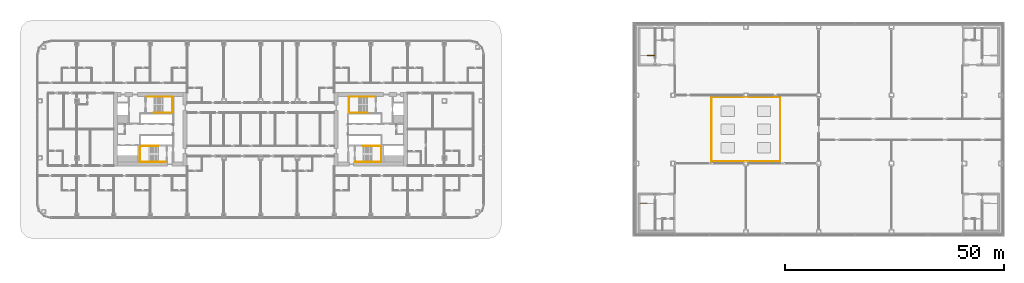
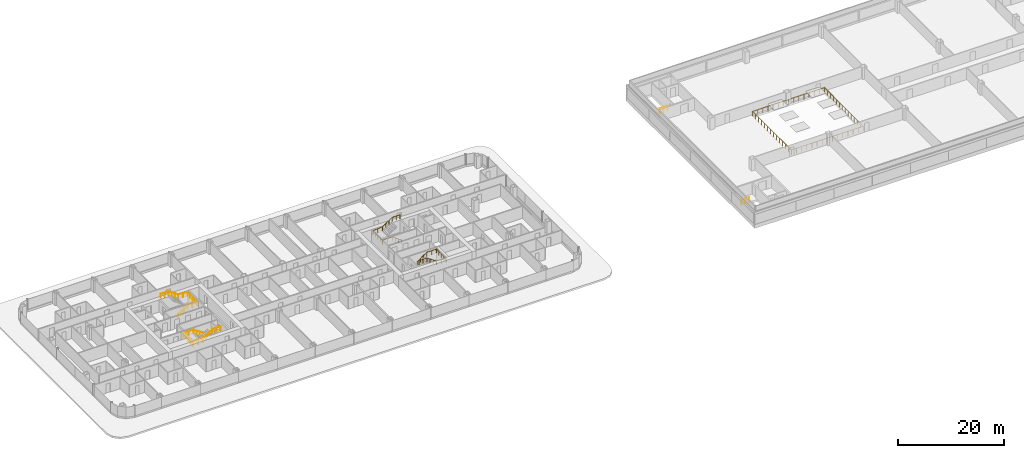
# One storey, part 41 of 42: 7 railings.
"""IFC4 building model written with IfcOpenShell, lengths in metres."""

from ifc_helpers import new_model, si_unit, direction, frame, origin, origin_2d, place, context, subcontext, project, spatial, circle, extrude, material, type_object, element, save


model = new_model("IFC4")

# Units and contexts
model_context = context("Model", 3, precision=1e-05, world=origin(), true_north=direction((0.0, 1.0)))
body_context = subcontext(model_context, "Body", "Model", "MODEL_VIEW")
ifc_project = project(units=[si_unit("LENGTHUNIT", "METRE"), si_unit("AREAUNIT", "SQUARE_METRE"), si_unit("VOLUMEUNIT", "CUBIC_METRE"), si_unit("PLANEANGLEUNIT", "RADIAN"), si_unit("MASSUNIT", "GRAM", prefix="KILO")], contexts=[model_context])

# Site, building, storey
site_placement = place(None, origin())
site = spatial("IfcSite", under=ifc_project, at=site_placement, CompositionType="ELEMENT")
building_placement = place(site_placement, origin())
building = spatial("IfcBuilding", under=site, at=building_placement, Name="Hakoniwa Tower and Hamabe Station Hall", CompositionType="ELEMENT")
storey_placement = place(building_placement, frame((0.0, 0.0, 19.800048828125)))
storey = spatial("IfcBuildingStorey", under=building, at=storey_placement, Name="L04", CompositionType="ELEMENT", Elevation=19.800048828125)

# Railings
ifc_material_1 = material(Name="Stainless steel and glass", Category="steel")
railing_type_1 = type_object("IfcRailingType", Name="GUARD 1100", PredefinedType="GUARDRAIL", material=ifc_material_1)
railing_1_placement = place(storey_placement, frame((103.050048828125, -7.35009765625, 0.0)))
element("IfcRailing", 1, at=railing_1_placement, inside=storey, type_object=railing_type_1, Name="Guard atrium opening L04", PredefinedType="GUARDRAIL", context=body_context, shape_type="SweptSolid", body=[
    extrude(circle(Radius=0.02392578125, at=origin_2d()), frame((0.0, 0.0, 1.076171875), z_axis=(1.0, 0.0, 0.0), x_axis=(0.0, 1.0, 0.0)), (0.0, 0.0, 1.0), 15.699951171875),
    extrude(circle(Radius=0.02392578125, at=origin_2d()), frame((15.699951171875, 0.0, 1.076171875), z_axis=(0.0, 1.0, 0.0), x_axis=(-1.0, 0.0, 0.0)), (0.0, 0.0, 1.0), 14.7001953125),
    extrude(circle(Radius=0.02392578125, at=origin_2d()), frame((15.699951171875, 14.7001953125, 1.076171875), z_axis=(-1.0, 0.0, 0.0), x_axis=(0.0, -1.0, 0.0)), (0.0, 0.0, 1.0), 15.699951171875),
    extrude(circle(Radius=0.02392578125, at=origin_2d()), frame((0.0, 14.7001953125, 1.076171875), z_axis=(0.0, -1.0, 0.0), x_axis=(1.0, 0.0, 0.0)), (0.0, 0.0, 1.0), 14.7001953125),
    extrude(circle(Radius=0.02099609375, at=origin_2d()), origin(), (0.0, 0.0, 1.0), 1.052001953125),
    extrude(circle(Radius=0.02099609375, at=origin_2d()), frame((1.121337890625, 0.0, 0.0)), (0.0, 0.0, 1.0), 1.052001953125),
    extrude(circle(Radius=0.02099609375, at=origin_2d()), frame((2.242919921875, 0.0, 0.0)), (0.0, 0.0, 1.0), 1.052001953125),
    extrude(circle(Radius=0.02099609375, at=origin_2d()), frame((3.3642578125, 0.0, 0.0)), (0.0, 0.0, 1.0), 1.052001953125),
    extrude(circle(Radius=0.02099609375, at=origin_2d()), frame((4.485595703125, 0.0, 0.0)), (0.0, 0.0, 1.0), 1.052001953125),
    extrude(circle(Radius=0.02099609375, at=origin_2d()), frame((5.607177734375, 0.0, 0.0)), (0.0, 0.0, 1.0), 1.052001953125),
    extrude(circle(Radius=0.02099609375, at=origin_2d()), frame((6.728515625, 0.0, 0.0)), (0.0, 0.0, 1.0), 1.052001953125),
    extrude(circle(Radius=0.02099609375, at=origin_2d()), frame((7.85009765625, 0.0, 0.0)), (0.0, 0.0, 1.0), 1.052001953125),
    extrude(circle(Radius=0.02099609375, at=origin_2d()), frame((8.971435546875, 0.0, 0.0)), (0.0, 0.0, 1.0), 1.052001953125),
    extrude(circle(Radius=0.02099609375, at=origin_2d()), frame((10.0927734375, 0.0, 0.0)), (0.0, 0.0, 1.0), 1.052001953125),
    extrude(circle(Radius=0.02099609375, at=origin_2d()), frame((11.21435546875, 0.0, 0.0)), (0.0, 0.0, 1.0), 1.052001953125),
    extrude(circle(Radius=0.02099609375, at=origin_2d()), frame((12.335693359375, 0.0, 0.0)), (0.0, 0.0, 1.0), 1.052001953125),
    extrude(circle(Radius=0.02099609375, at=origin_2d()), frame((13.45703125, 0.0, 0.0)), (0.0, 0.0, 1.0), 1.052001953125),
    extrude(circle(Radius=0.02099609375, at=origin_2d()), frame((14.57861328125, 0.0, 0.0)), (0.0, 0.0, 1.0), 1.052001953125),
    extrude(circle(Radius=0.02099609375, at=origin_2d()), frame((15.699951171875, 0.0, 0.0)), (0.0, 0.0, 1.0), 1.052001953125),
    extrude(circle(Radius=0.02099609375, at=origin_2d()), frame((15.699951171875, 1.130859375, 0.0)), (0.0, 0.0, 1.0), 1.052001953125),
    extrude(circle(Radius=0.02099609375, at=origin_2d()), frame((15.699951171875, 2.261474609375, 0.0)), (0.0, 0.0, 1.0), 1.052001953125),
    extrude(circle(Radius=0.02099609375, at=origin_2d()), frame((15.699951171875, 3.392333984375, 0.0)), (0.0, 0.0, 1.0), 1.052001953125),
    extrude(circle(Radius=0.02099609375, at=origin_2d()), frame((15.699951171875, 4.523193359375, 0.0)), (0.0, 0.0, 1.0), 1.052001953125),
    extrude(circle(Radius=0.02099609375, at=origin_2d()), frame((15.699951171875, 5.65380859375, 0.0)), (0.0, 0.0, 1.0), 1.052001953125),
    extrude(circle(Radius=0.02099609375, at=origin_2d()), frame((15.699951171875, 6.78466796875, 0.0)), (0.0, 0.0, 1.0), 1.052001953125),
    extrude(circle(Radius=0.02099609375, at=origin_2d()), frame((15.699951171875, 7.91552734375, 0.0)), (0.0, 0.0, 1.0), 1.052001953125),
    extrude(circle(Radius=0.02099609375, at=origin_2d()), frame((15.699951171875, 9.04638671875, 0.0)), (0.0, 0.0, 1.0), 1.052001953125),
    extrude(circle(Radius=0.02099609375, at=origin_2d()), frame((15.699951171875, 10.177001953125, 0.0)), (0.0, 0.0, 1.0), 1.052001953125),
    extrude(circle(Radius=0.02099609375, at=origin_2d()), frame((15.699951171875, 11.307861328125, 0.0)), (0.0, 0.0, 1.0), 1.052001953125),
    extrude(circle(Radius=0.02099609375, at=origin_2d()), frame((15.699951171875, 12.438720703125, 0.0)), (0.0, 0.0, 1.0), 1.052001953125),
    extrude(circle(Radius=0.02099609375, at=origin_2d()), frame((15.699951171875, 13.5693359375, 0.0)), (0.0, 0.0, 1.0), 1.052001953125),
    extrude(circle(Radius=0.02099609375, at=origin_2d()), frame((15.699951171875, 14.7001953125, 0.0)), (0.0, 0.0, 1.0), 1.052001953125),
    extrude(circle(Radius=0.02099609375, at=origin_2d()), frame((14.57861328125, 14.7001953125, 0.0)), (0.0, 0.0, 1.0), 1.052001953125),
    extrude(circle(Radius=0.02099609375, at=origin_2d()), frame((13.45703125, 14.7001953125, 0.0)), (0.0, 0.0, 1.0), 1.052001953125),
    extrude(circle(Radius=0.02099609375, at=origin_2d()), frame((12.335693359375, 14.7001953125, 0.0)), (0.0, 0.0, 1.0), 1.052001953125),
    extrude(circle(Radius=0.02099609375, at=origin_2d()), frame((11.21435546875, 14.7001953125, 0.0)), (0.0, 0.0, 1.0), 1.052001953125),
    extrude(circle(Radius=0.02099609375, at=origin_2d()), frame((10.0927734375, 14.7001953125, 0.0)), (0.0, 0.0, 1.0), 1.052001953125),
    extrude(circle(Radius=0.02099609375, at=origin_2d()), frame((8.971435546875, 14.7001953125, 0.0)), (0.0, 0.0, 1.0), 1.052001953125),
    extrude(circle(Radius=0.02099609375, at=origin_2d()), frame((7.85009765625, 14.7001953125, 0.0)), (0.0, 0.0, 1.0), 1.052001953125),
    extrude(circle(Radius=0.02099609375, at=origin_2d()), frame((6.728515625, 14.7001953125, 0.0)), (0.0, 0.0, 1.0), 1.052001953125),
    extrude(circle(Radius=0.02099609375, at=origin_2d()), frame((5.607177734375, 14.7001953125, 0.0)), (0.0, 0.0, 1.0), 1.052001953125),
    extrude(circle(Radius=0.02099609375, at=origin_2d()), frame((4.485595703125, 14.7001953125, 0.0)), (0.0, 0.0, 1.0), 1.052001953125),
    extrude(circle(Radius=0.02099609375, at=origin_2d()), frame((3.3642578125, 14.7001953125, 0.0)), (0.0, 0.0, 1.0), 1.052001953125),
    extrude(circle(Radius=0.02099609375, at=origin_2d()), frame((2.242919921875, 14.7001953125, 0.0)), (0.0, 0.0, 1.0), 1.052001953125),
    extrude(circle(Radius=0.02099609375, at=origin_2d()), frame((1.121337890625, 14.7001953125, 0.0)), (0.0, 0.0, 1.0), 1.052001953125),
    extrude(circle(Radius=0.02099609375, at=origin_2d()), frame((0.0, 14.7001953125, 0.0)), (0.0, 0.0, 1.0), 1.052001953125),
    extrude(circle(Radius=0.02099609375, at=origin_2d()), frame((0.0, 13.5693359375, 0.0)), (0.0, 0.0, 1.0), 1.052001953125),
    extrude(circle(Radius=0.02099609375, at=origin_2d()), frame((0.0, 12.438720703125, 0.0)), (0.0, 0.0, 1.0), 1.052001953125),
    extrude(circle(Radius=0.02099609375, at=origin_2d()), frame((0.0, 11.307861328125, 0.0)), (0.0, 0.0, 1.0), 1.052001953125),
    extrude(circle(Radius=0.02099609375, at=origin_2d()), frame((0.0, 10.177001953125, 0.0)), (0.0, 0.0, 1.0), 1.052001953125),
    extrude(circle(Radius=0.02099609375, at=origin_2d()), frame((0.0, 9.04638671875, 0.0)), (0.0, 0.0, 1.0), 1.052001953125),
    extrude(circle(Radius=0.02099609375, at=origin_2d()), frame((0.0, 7.91552734375, 0.0)), (0.0, 0.0, 1.0), 1.052001953125),
    extrude(circle(Radius=0.02099609375, at=origin_2d()), frame((0.0, 6.78466796875, 0.0)), (0.0, 0.0, 1.0), 1.052001953125),
    extrude(circle(Radius=0.02099609375, at=origin_2d()), frame((0.0, 5.65380859375, 0.0)), (0.0, 0.0, 1.0), 1.052001953125),
    extrude(circle(Radius=0.02099609375, at=origin_2d()), frame((0.0, 4.523193359375, 0.0)), (0.0, 0.0, 1.0), 1.052001953125),
    extrude(circle(Radius=0.02099609375, at=origin_2d()), frame((0.0, 3.392333984375, 0.0)), (0.0, 0.0, 1.0), 1.052001953125),
    extrude(circle(Radius=0.02099609375, at=origin_2d()), frame((0.0, 2.261474609375, 0.0)), (0.0, 0.0, 1.0), 1.052001953125),
    extrude(circle(Radius=0.02099609375, at=origin_2d()), frame((0.0, 1.130859375, 0.0)), (0.0, 0.0, 1.0), 1.052001953125),
])
railing_2_placement = place(storey_placement, frame((90.050048828125, 16.89990234375, 0.0)))
element("IfcRailing", 2, at=railing_2_placement, inside=storey, type_object=railing_type_1, Name="Guard stair well SC1 L04", PredefinedType="GUARDRAIL", context=body_context, shape_type="SweptSolid", body=[
    extrude(circle(Radius=0.02392578125, at=origin_2d()), frame((0.0, 0.0, 1.076171875), z_axis=(-1.0, 0.0, 0.0), x_axis=(0.0, -1.0, 0.0)), (0.0, 0.0, 1.0), 1.699951171875),
    extrude(circle(Radius=0.02099609375, at=origin_2d()), origin(), (0.0, 0.0, 1.0), 1.052001953125),
    extrude(circle(Radius=0.02099609375, at=origin_2d()), frame((-0.85009765625, 0.0, 0.0)), (0.0, 0.0, 1.0), 1.052001953125),
    extrude(circle(Radius=0.02099609375, at=origin_2d()), frame((-1.699951171875, 0.0, 0.0)), (0.0, 0.0, 1.0), 1.052001953125),
])
railing_3_placement = place(storey_placement, frame((86.64990234375, -16.89990234375, 0.0)))
element("IfcRailing", 3, at=railing_3_placement, inside=storey, type_object=railing_type_1, Name="Guard stair well SC3 L04", PredefinedType="GUARDRAIL", context=body_context, shape_type="SweptSolid", body=[
    extrude(circle(Radius=0.02392578125, at=origin_2d()), frame((0.0, 0.0, 1.076171875), z_axis=(1.0, 0.0, 0.0), x_axis=(0.0, 1.0, 0.0)), (0.0, 0.0, 1.0), 1.7001953125),
    extrude(circle(Radius=0.02099609375, at=origin_2d()), origin(), (0.0, 0.0, 1.0), 1.052001953125),
    extrude(circle(Radius=0.02099609375, at=origin_2d()), frame((0.85009765625, 0.0, 0.0)), (0.0, 0.0, 1.0), 1.052001953125),
    extrude(circle(Radius=0.02099609375, at=origin_2d()), frame((1.7001953125, 0.0, 0.0)), (0.0, 0.0, 1.0), 1.052001953125),
])
ifc_material_2 = material(Name="Stainless steel SUS304", Category="steel")
railing_type_2 = type_object("IfcRailingType", Name="STAIR HANDRAIL 900", PredefinedType="HANDRAIL", material=ifc_material_2)
railing_4_placement = place(storey_placement, frame((-24.39990234375, 3.81005859375, 0.177734375)))
element("IfcRailing", 4, at=railing_4_placement, inside=storey, type_object=railing_type_2, Name="Handrail ST-1 L04 1", PredefinedType="HANDRAIL", context=body_context, shape_type="SweptSolid", body=[
    extrude(circle(Radius=0.02392578125, at=origin_2d()), frame((0.0, 0.0, 0.8759765625), z_axis=(0.825478349766, 0.0, 0.564433781827), x_axis=(0.0, 1.0, 0.0)), (0.0, 0.0, 1.0), 2.51953125),
    extrude(circle(Radius=0.02392578125, at=origin_2d()), frame((2.079833984375, 0.0, 2.2978515625), z_axis=(1.0, 0.0, 0.0), x_axis=(0.0, 1.0, 0.0)), (0.0, 0.0, 1.0), 2.110107421875),
    extrude(circle(Radius=0.02392578125, at=origin_2d()), frame((4.18994140625, 0.0, 2.2978515625), z_axis=(0.0, 1.0, 0.0), x_axis=(-1.0, 0.0, 0.0)), (0.0, 0.0, 1.0), 3.6298828125),
    extrude(circle(Radius=0.02392578125, at=origin_2d()), frame((4.18994140625, 3.6298828125, 2.2978515625), z_axis=(-0.996461767938, 0.0, 0.084047278587), x_axis=(0.0, -1.0, 0.0)), (0.0, 0.0, 1.0), 2.11767578125),
    extrude(circle(Radius=0.02392578125, at=origin_2d()), frame((2.079833984375, 3.6298828125, 2.47607421875), z_axis=(-0.825478349766, 0.0, 0.564433781827), x_axis=(0.0, -1.0, 0.0)), (0.0, 0.0, 1.0), 2.51953125),
    extrude(circle(Radius=0.02392578125, at=origin_2d()), frame((0.0, 3.6298828125, 3.89794921875), z_axis=(-1.0, 0.0, 0.0), x_axis=(0.0, -1.0, 0.0)), (0.0, 0.0, 1.0), 1.739990234375),
    extrude(circle(Radius=0.02099609375, at=origin_2d()), origin(), (0.0, 0.0, 1.0), 0.851806640625),
    extrude(circle(Radius=0.02099609375, at=origin_2d()), frame((0.693359375, 0.0, 0.47412109375)), (0.0, 0.0, 1.0), 0.851806640625),
    extrude(circle(Radius=0.02099609375, at=origin_2d()), frame((1.386474609375, 0.0, 0.947998046875)), (0.0, 0.0, 1.0), 0.851806640625),
    extrude(circle(Radius=0.02099609375, at=origin_2d()), frame((2.079833984375, 0.0, 1.422119140625)), (0.0, 0.0, 1.0), 0.851806640625),
    extrude(circle(Radius=0.02099609375, at=origin_2d()), frame((3.134765625, 0.0, 1.422119140625)), (0.0, 0.0, 1.0), 0.851806640625),
    extrude(circle(Radius=0.02099609375, at=origin_2d()), frame((4.18994140625, 0.0, 1.422119140625)), (0.0, 0.0, 1.0), 0.851806640625),
    extrude(circle(Radius=0.02099609375, at=origin_2d()), frame((4.18994140625, 0.907470703125, 1.422119140625)), (0.0, 0.0, 1.0), 0.851806640625),
    extrude(circle(Radius=0.02099609375, at=origin_2d()), frame((4.18994140625, 1.81494140625, 1.422119140625)), (0.0, 0.0, 1.0), 0.851806640625),
    extrude(circle(Radius=0.02099609375, at=origin_2d()), frame((4.18994140625, 2.722412109375, 1.422119140625)), (0.0, 0.0, 1.0), 0.851806640625),
    extrude(circle(Radius=0.02099609375, at=origin_2d()), frame((4.18994140625, 3.6298828125, 1.422119140625)), (0.0, 0.0, 1.0), 0.851806640625),
    extrude(circle(Radius=0.02099609375, at=origin_2d()), frame((3.134765625, 3.6298828125, 1.51123046875)), (0.0, 0.0, 1.0), 0.851806640625),
    extrude(circle(Radius=0.02099609375, at=origin_2d()), frame((2.079833984375, 3.6298828125, 1.60009765625)), (0.0, 0.0, 1.0), 0.851806640625),
    extrude(circle(Radius=0.02099609375, at=origin_2d()), frame((1.386474609375, 3.6298828125, 2.07421875)), (0.0, 0.0, 1.0), 0.851806640625),
    extrude(circle(Radius=0.02099609375, at=origin_2d()), frame((0.693359375, 3.6298828125, 2.548095703125)), (0.0, 0.0, 1.0), 0.851806640625),
    extrude(circle(Radius=0.02099609375, at=origin_2d()), frame((0.0, 3.6298828125, 3.022216796875)), (0.0, 0.0, 1.0), 0.851806640625),
    extrude(circle(Radius=0.02099609375, at=origin_2d()), frame((-0.8701171875, 3.6298828125, 3.022216796875)), (0.0, 0.0, 1.0), 0.851806640625),
    extrude(circle(Radius=0.02099609375, at=origin_2d()), frame((-1.739990234375, 3.6298828125, 3.022216796875)), (0.0, 0.0, 1.0), 0.851806640625),
])
railing_5_placement = place(storey_placement, frame((-23.39990234375, -3.81005859375, 0.177734375)))
element("IfcRailing", 5, at=railing_5_placement, inside=storey, type_object=railing_type_2, Name="Handrail ST-2 L04 1", PredefinedType="HANDRAIL", context=body_context, shape_type="SweptSolid", body=[
    extrude(circle(Radius=0.02392578125, at=origin_2d()), frame((0.0, 0.0, 0.8759765625), z_axis=(-0.82550921652, 0.0, 0.564388636881), x_axis=(0.0, -1.0, 0.0)), (0.0, 0.0, 1.0), 2.519775390625),
    extrude(circle(Radius=0.02392578125, at=origin_2d()), frame((-2.080078125, 0.0, 2.2978515625), z_axis=(-1.0, 0.0, 0.0), x_axis=(0.0, -1.0, 0.0)), (0.0, 0.0, 1.0), 2.110107421875),
    extrude(circle(Radius=0.02392578125, at=origin_2d()), frame((-4.190185546875, 0.0, 2.2978515625), z_axis=(0.0, -1.0, 0.0), x_axis=(1.0, 0.0, 0.0)), (0.0, 0.0, 1.0), 3.6298828125),
    extrude(circle(Radius=0.02392578125, at=origin_2d()), frame((-4.190185546875, -3.6298828125, 2.2978515625), z_axis=(0.996461767938, 0.0, 0.084047278587), x_axis=(0.0, 1.0, 0.0)), (0.0, 0.0, 1.0), 2.11767578125),
    extrude(circle(Radius=0.02392578125, at=origin_2d()), frame((-2.080078125, -3.6298828125, 2.47607421875), z_axis=(0.82550921652, 0.0, 0.564388636881), x_axis=(0.0, 1.0, 0.0)), (0.0, 0.0, 1.0), 2.519775390625),
    extrude(circle(Radius=0.02392578125, at=origin_2d()), frame((0.0, -3.6298828125, 3.89794921875), z_axis=(1.0, 0.0, 0.0), x_axis=(0.0, 1.0, 0.0)), (0.0, 0.0, 1.0), 1.739990234375),
    extrude(circle(Radius=0.02099609375, at=origin_2d()), origin(), (0.0, 0.0, 1.0), 0.851806640625),
    extrude(circle(Radius=0.02099609375, at=origin_2d()), frame((-0.693359375, 0.0, 0.47412109375)), (0.0, 0.0, 1.0), 0.851806640625),
    extrude(circle(Radius=0.02099609375, at=origin_2d()), frame((-1.38671875, 0.0, 0.947998046875)), (0.0, 0.0, 1.0), 0.851806640625),
    extrude(circle(Radius=0.02099609375, at=origin_2d()), frame((-2.080078125, 0.0, 1.422119140625)), (0.0, 0.0, 1.0), 0.851806640625),
    extrude(circle(Radius=0.02099609375, at=origin_2d()), frame((-3.13525390625, 0.0, 1.422119140625)), (0.0, 0.0, 1.0), 0.851806640625),
    extrude(circle(Radius=0.02099609375, at=origin_2d()), frame((-4.190185546875, 0.0, 1.422119140625)), (0.0, 0.0, 1.0), 0.851806640625),
    extrude(circle(Radius=0.02099609375, at=origin_2d()), frame((-4.190185546875, -0.907470703125, 1.422119140625)), (0.0, 0.0, 1.0), 0.851806640625),
    extrude(circle(Radius=0.02099609375, at=origin_2d()), frame((-4.190185546875, -1.81494140625, 1.422119140625)), (0.0, 0.0, 1.0), 0.851806640625),
    extrude(circle(Radius=0.02099609375, at=origin_2d()), frame((-4.190185546875, -2.722412109375, 1.422119140625)), (0.0, 0.0, 1.0), 0.851806640625),
    extrude(circle(Radius=0.02099609375, at=origin_2d()), frame((-4.190185546875, -3.6298828125, 1.422119140625)), (0.0, 0.0, 1.0), 0.851806640625),
    extrude(circle(Radius=0.02099609375, at=origin_2d()), frame((-3.13525390625, -3.6298828125, 1.51123046875)), (0.0, 0.0, 1.0), 0.851806640625),
    extrude(circle(Radius=0.02099609375, at=origin_2d()), frame((-2.080078125, -3.6298828125, 1.60009765625)), (0.0, 0.0, 1.0), 0.851806640625),
    extrude(circle(Radius=0.02099609375, at=origin_2d()), frame((-1.38671875, -3.6298828125, 2.07421875)), (0.0, 0.0, 1.0), 0.851806640625),
    extrude(circle(Radius=0.02099609375, at=origin_2d()), frame((-0.693359375, -3.6298828125, 2.548095703125)), (0.0, 0.0, 1.0), 0.851806640625),
    extrude(circle(Radius=0.02099609375, at=origin_2d()), frame((0.0, -3.6298828125, 3.022216796875)), (0.0, 0.0, 1.0), 0.851806640625),
    extrude(circle(Radius=0.02099609375, at=origin_2d()), frame((0.8701171875, -3.6298828125, 3.022216796875)), (0.0, 0.0, 1.0), 0.851806640625),
    extrude(circle(Radius=0.02099609375, at=origin_2d()), frame((1.739990234375, -3.6298828125, 3.022216796875)), (0.0, 0.0, 1.0), 0.851806640625),
])
railing_6_placement = place(storey_placement, frame((24.39990234375, 3.81005859375, 0.177734375)))
element("IfcRailing", 6, at=railing_6_placement, inside=storey, type_object=railing_type_2, Name="Handrail ST-3 L04 1", PredefinedType="HANDRAIL", context=body_context, shape_type="SweptSolid", body=[
    extrude(circle(Radius=0.02392578125, at=origin_2d()), frame((0.0, 0.0, 0.8759765625), z_axis=(-0.825478349766, 0.0, 0.564433781827), x_axis=(0.0, -1.0, 0.0)), (0.0, 0.0, 1.0), 2.51953125),
    extrude(circle(Radius=0.02392578125, at=origin_2d()), frame((-2.079833984375, 0.0, 2.2978515625), z_axis=(-1.0, 0.0, 0.0), x_axis=(0.0, -1.0, 0.0)), (0.0, 0.0, 1.0), 2.110107421875),
    extrude(circle(Radius=0.02392578125, at=origin_2d()), frame((-4.18994140625, 0.0, 2.2978515625), z_axis=(0.0, 1.0, 0.0), x_axis=(-1.0, 0.0, 0.0)), (0.0, 0.0, 1.0), 3.6298828125),
    extrude(circle(Radius=0.02392578125, at=origin_2d()), frame((-4.18994140625, 3.6298828125, 2.2978515625), z_axis=(0.996461767938, 0.0, 0.084047278587), x_axis=(0.0, 1.0, 0.0)), (0.0, 0.0, 1.0), 2.11767578125),
    extrude(circle(Radius=0.02392578125, at=origin_2d()), frame((-2.079833984375, 3.6298828125, 2.47607421875), z_axis=(0.825478349766, 0.0, 0.564433781827), x_axis=(0.0, 1.0, 0.0)), (0.0, 0.0, 1.0), 2.51953125),
    extrude(circle(Radius=0.02392578125, at=origin_2d()), frame((0.0, 3.6298828125, 3.89794921875), z_axis=(1.0, 0.0, 0.0), x_axis=(0.0, 1.0, 0.0)), (0.0, 0.0, 1.0), 1.739990234375),
    extrude(circle(Radius=0.02099609375, at=origin_2d()), origin(), (0.0, 0.0, 1.0), 0.851806640625),
    extrude(circle(Radius=0.02099609375, at=origin_2d()), frame((-0.693359375, 0.0, 0.47412109375)), (0.0, 0.0, 1.0), 0.851806640625),
    extrude(circle(Radius=0.02099609375, at=origin_2d()), frame((-1.386474609375, 0.0, 0.947998046875)), (0.0, 0.0, 1.0), 0.851806640625),
    extrude(circle(Radius=0.02099609375, at=origin_2d()), frame((-2.079833984375, 0.0, 1.422119140625)), (0.0, 0.0, 1.0), 0.851806640625),
    extrude(circle(Radius=0.02099609375, at=origin_2d()), frame((-3.134765625, 0.0, 1.422119140625)), (0.0, 0.0, 1.0), 0.851806640625),
    extrude(circle(Radius=0.02099609375, at=origin_2d()), frame((-4.18994140625, 0.0, 1.422119140625)), (0.0, 0.0, 1.0), 0.851806640625),
    extrude(circle(Radius=0.02099609375, at=origin_2d()), frame((-4.18994140625, 0.907470703125, 1.422119140625)), (0.0, 0.0, 1.0), 0.851806640625),
    extrude(circle(Radius=0.02099609375, at=origin_2d()), frame((-4.18994140625, 1.81494140625, 1.422119140625)), (0.0, 0.0, 1.0), 0.851806640625),
    extrude(circle(Radius=0.02099609375, at=origin_2d()), frame((-4.18994140625, 2.722412109375, 1.422119140625)), (0.0, 0.0, 1.0), 0.851806640625),
    extrude(circle(Radius=0.02099609375, at=origin_2d()), frame((-4.18994140625, 3.6298828125, 1.422119140625)), (0.0, 0.0, 1.0), 0.851806640625),
    extrude(circle(Radius=0.02099609375, at=origin_2d()), frame((-3.134765625, 3.6298828125, 1.51123046875)), (0.0, 0.0, 1.0), 0.851806640625),
    extrude(circle(Radius=0.02099609375, at=origin_2d()), frame((-2.079833984375, 3.6298828125, 1.60009765625)), (0.0, 0.0, 1.0), 0.851806640625),
    extrude(circle(Radius=0.02099609375, at=origin_2d()), frame((-1.386474609375, 3.6298828125, 2.07421875)), (0.0, 0.0, 1.0), 0.851806640625),
    extrude(circle(Radius=0.02099609375, at=origin_2d()), frame((-0.693359375, 3.6298828125, 2.548095703125)), (0.0, 0.0, 1.0), 0.851806640625),
    extrude(circle(Radius=0.02099609375, at=origin_2d()), frame((0.0, 3.6298828125, 3.022216796875)), (0.0, 0.0, 1.0), 0.851806640625),
    extrude(circle(Radius=0.02099609375, at=origin_2d()), frame((0.8701171875, 3.6298828125, 3.022216796875)), (0.0, 0.0, 1.0), 0.851806640625),
    extrude(circle(Radius=0.02099609375, at=origin_2d()), frame((1.739990234375, 3.6298828125, 3.022216796875)), (0.0, 0.0, 1.0), 0.851806640625),
])
railing_7_placement = place(storey_placement, frame((23.39990234375, -3.81005859375, 0.177734375)))
element("IfcRailing", 7, at=railing_7_placement, inside=storey, type_object=railing_type_2, Name="Handrail ST-4 L04 1", PredefinedType="HANDRAIL", context=body_context, shape_type="SweptSolid", body=[
    extrude(circle(Radius=0.02392578125, at=origin_2d()), frame((0.0, 0.0, 0.8759765625), z_axis=(0.82550921652, 0.0, 0.564388636881), x_axis=(0.0, 1.0, 0.0)), (0.0, 0.0, 1.0), 2.519775390625),
    extrude(circle(Radius=0.02392578125, at=origin_2d()), frame((2.080078125, 0.0, 2.2978515625), z_axis=(1.0, 0.0, 0.0), x_axis=(0.0, 1.0, 0.0)), (0.0, 0.0, 1.0), 2.110107421875),
    extrude(circle(Radius=0.02392578125, at=origin_2d()), frame((4.190185546875, 0.0, 2.2978515625), z_axis=(0.0, -1.0, 0.0), x_axis=(1.0, 0.0, 0.0)), (0.0, 0.0, 1.0), 3.6298828125),
    extrude(circle(Radius=0.02392578125, at=origin_2d()), frame((4.190185546875, -3.6298828125, 2.2978515625), z_axis=(-0.996461767938, 0.0, 0.084047278587), x_axis=(0.0, -1.0, 0.0)), (0.0, 0.0, 1.0), 2.11767578125),
    extrude(circle(Radius=0.02392578125, at=origin_2d()), frame((2.080078125, -3.6298828125, 2.47607421875), z_axis=(-0.82550921652, 0.0, 0.564388636881), x_axis=(0.0, -1.0, 0.0)), (0.0, 0.0, 1.0), 2.519775390625),
    extrude(circle(Radius=0.02392578125, at=origin_2d()), frame((0.0, -3.6298828125, 3.89794921875), z_axis=(-1.0, 0.0, 0.0), x_axis=(0.0, -1.0, 0.0)), (0.0, 0.0, 1.0), 1.739990234375),
    extrude(circle(Radius=0.02099609375, at=origin_2d()), origin(), (0.0, 0.0, 1.0), 0.851806640625),
    extrude(circle(Radius=0.02099609375, at=origin_2d()), frame((0.693359375, 0.0, 0.47412109375)), (0.0, 0.0, 1.0), 0.851806640625),
    extrude(circle(Radius=0.02099609375, at=origin_2d()), frame((1.38671875, 0.0, 0.947998046875)), (0.0, 0.0, 1.0), 0.851806640625),
    extrude(circle(Radius=0.02099609375, at=origin_2d()), frame((2.080078125, 0.0, 1.422119140625)), (0.0, 0.0, 1.0), 0.851806640625),
    extrude(circle(Radius=0.02099609375, at=origin_2d()), frame((3.13525390625, 0.0, 1.422119140625)), (0.0, 0.0, 1.0), 0.851806640625),
    extrude(circle(Radius=0.02099609375, at=origin_2d()), frame((4.190185546875, 0.0, 1.422119140625)), (0.0, 0.0, 1.0), 0.851806640625),
    extrude(circle(Radius=0.02099609375, at=origin_2d()), frame((4.190185546875, -0.907470703125, 1.422119140625)), (0.0, 0.0, 1.0), 0.851806640625),
    extrude(circle(Radius=0.02099609375, at=origin_2d()), frame((4.190185546875, -1.81494140625, 1.422119140625)), (0.0, 0.0, 1.0), 0.851806640625),
    extrude(circle(Radius=0.02099609375, at=origin_2d()), frame((4.190185546875, -2.722412109375, 1.422119140625)), (0.0, 0.0, 1.0), 0.851806640625),
    extrude(circle(Radius=0.02099609375, at=origin_2d()), frame((4.190185546875, -3.6298828125, 1.422119140625)), (0.0, 0.0, 1.0), 0.851806640625),
    extrude(circle(Radius=0.02099609375, at=origin_2d()), frame((3.13525390625, -3.6298828125, 1.51123046875)), (0.0, 0.0, 1.0), 0.851806640625),
    extrude(circle(Radius=0.02099609375, at=origin_2d()), frame((2.080078125, -3.6298828125, 1.60009765625)), (0.0, 0.0, 1.0), 0.851806640625),
    extrude(circle(Radius=0.02099609375, at=origin_2d()), frame((1.38671875, -3.6298828125, 2.07421875)), (0.0, 0.0, 1.0), 0.851806640625),
    extrude(circle(Radius=0.02099609375, at=origin_2d()), frame((0.693359375, -3.6298828125, 2.548095703125)), (0.0, 0.0, 1.0), 0.851806640625),
    extrude(circle(Radius=0.02099609375, at=origin_2d()), frame((0.0, -3.6298828125, 3.022216796875)), (0.0, 0.0, 1.0), 0.851806640625),
    extrude(circle(Radius=0.02099609375, at=origin_2d()), frame((-0.8701171875, -3.6298828125, 3.022216796875)), (0.0, 0.0, 1.0), 0.851806640625),
    extrude(circle(Radius=0.02099609375, at=origin_2d()), frame((-1.739990234375, -3.6298828125, 3.022216796875)), (0.0, 0.0, 1.0), 0.851806640625),
])

save(model, "model.ifc")
